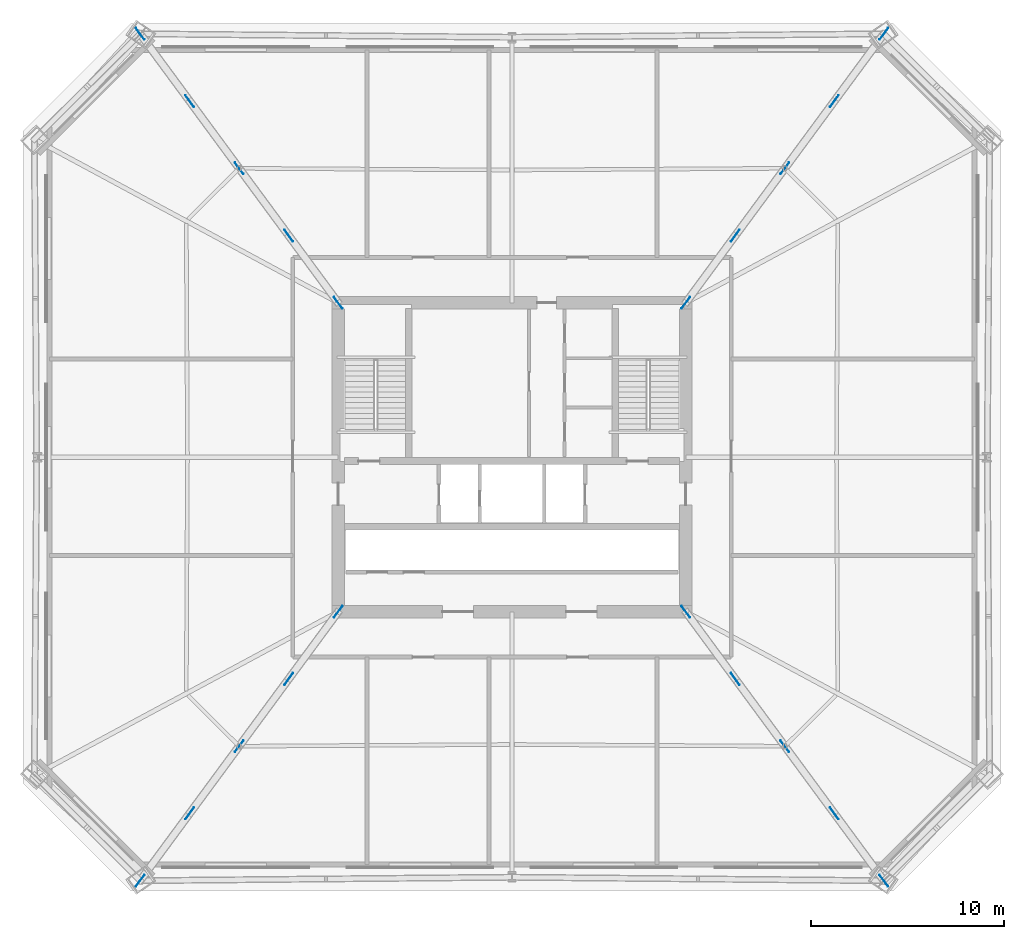
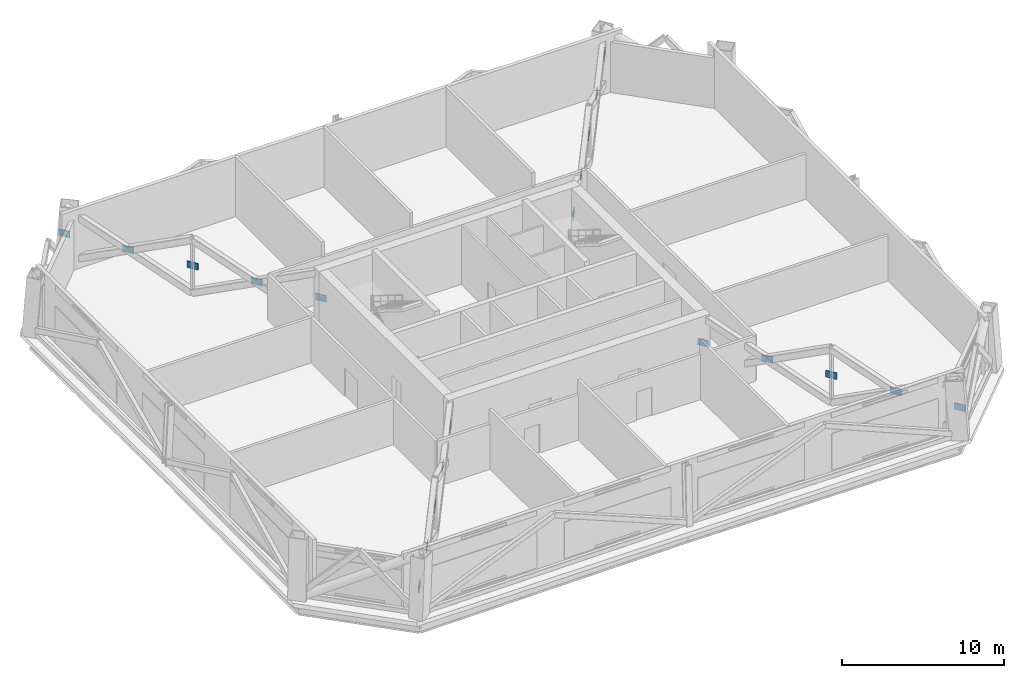
# One storey, part 10 of 14: 20 plates.
"""IFC4 building model written with IfcOpenShell, lengths in metres."""

from ifc_helpers import new_model, si_unit, direction, frame, origin, origin_2d, place, context, subcontext, project, spatial, rectangle, extrude, material, layer, layer_set, type_object, element, save


model = new_model("IFC4")

# Units and contexts
model_context = context("Model", 3, precision=1e-05, world=origin(), true_north=direction((0.0, 1.0)))
body_context = subcontext(model_context, "Body", "Model", "MODEL_VIEW")
ifc_project = project(units=[si_unit("LENGTHUNIT", "METRE"), si_unit("AREAUNIT", "SQUARE_METRE"), si_unit("VOLUMEUNIT", "CUBIC_METRE"), si_unit("PLANEANGLEUNIT", "RADIAN"), si_unit("MASSUNIT", "GRAM", prefix="KILO")], contexts=[model_context])

# Site, building, storey
site_placement = place(None, origin())
site = spatial("IfcSite", under=ifc_project, at=site_placement, CompositionType="ELEMENT")
building_placement = place(site_placement, origin())
building = spatial("IfcBuilding", under=site, at=building_placement, Name="Caelvoria Tower", CompositionType="ELEMENT")
storey_placement = place(building_placement, frame((0.0, 0.0, 85.60009765625)))
storey = spatial("IfcBuildingStorey", under=building, at=storey_placement, Name="L22", CompositionType="ELEMENT", Elevation=85.60009765625)

# Plates
ifc_material = material(Name="Structural Steel ASTM A572 Gr.50", Category="steel")
ifc_layer = layer(ifc_material, 0.035888671875, Name="Structural Steel ASTM A572 Gr.50")
ifc_layer_set = layer_set([ifc_layer], Name="Outrigger Node Gusset Plate 750x500x36 - Structural Steel ASTM A572 Gr.50")
plate_type = type_object("IfcPlateType", Name="Outrigger Node Gusset Plate 750x500x36", PredefinedType="USERDEFINED", material=ifc_layer_set)
for number, where, z_axis, x_axis, name in (
    (1, (26.74169921875, 10.07421875, 1.989990234375), (0.0, 0.0, 1.0), (-0.593092923277, -0.805134016396, 0.0), "Outrigger Gusset Plate END L22-SW"),
    (2, (37.0, 24.0, 1.989990234375), (0.0, 0.0, 1.0), (-0.593092923277, -0.805134016396, 0.0), "Outrigger Gusset Plate CORE L22-SW"),
    (3, (31.870849609375, 17.037109375, 1.989990234375), (0.0, 0.0, 1.0), (-0.593092923277, -0.805134016396, 0.0), "Outrigger Gusset Plate MID L22-SW"),
    (4, (34.435546875, 20.5185546875, 1.989990234375), (0.0, 0.0, 1.0), (-0.593092923277, -0.805134016396, 0.0), "Outrigger Gusset Plate X1 L22-SW"),
    (5, (29.306396484375, 13.5556640625, 1.989990234375), (0.0, 0.0, 1.0), (-0.593092923277, -0.805134016396, 0.0), "Outrigger Gusset Plate X2 L22-SW"),
    (6, (65.25830078125, 10.07421875, 1.989990234375), (0.0, 0.0, 1.0), (0.593092923277, -0.805134016396, 0.0), "Outrigger Gusset Plate END L22-SE"),
    (7, (55.0, 24.0, 1.989990234375), (0.0, 0.0, 1.0), (0.593092923277, -0.805134016396, 0.0), "Outrigger Gusset Plate CORE L22-SE"),
    (8, (60.129150390625, 17.037109375, 1.989990234375), (0.0, 0.0, 1.0), (0.593092923277, -0.805134016396, 0.0), "Outrigger Gusset Plate MID L22-SE"),
    (9, (57.564453125, 20.5185546875, 1.989990234375), (0.0, 0.0, 1.0), (0.593092923277, -0.805134016396, 0.0), "Outrigger Gusset Plate X1 L22-SE"),
    (10, (62.693603515625, 13.5556640625, 1.989990234375), (0.0, 0.0, 1.0), (0.593092923277, -0.805134016396, 0.0), "Outrigger Gusset Plate X2 L22-SE"),
    (11, (65.25830078125, 53.92578125, 1.989990234375), (0.0, 0.0, 1.0), (0.593092923277, 0.805134016396, 0.0), "Outrigger Gusset Plate END L22-NE"),
    (12, (55.0, 40.0, 1.989990234375), (0.0, 0.0, 1.0), (0.593092923277, 0.805134016396, 0.0), "Outrigger Gusset Plate CORE L22-NE"),
    (13, (60.129150390625, 46.962890625, 1.989990234375), (0.0, 0.0, 1.0), (0.593092923277, 0.805134016396, 0.0), "Outrigger Gusset Plate MID L22-NE"),
    (14, (57.564453125, 43.4814453125, 1.989990234375), (0.0, 0.0, 1.0), (0.593092923277, 0.805134016396, 0.0), "Outrigger Gusset Plate X1 L22-NE"),
    (15, (62.693603515625, 50.4443359375, 1.989990234375), (0.0, 0.0, 1.0), (0.593092923277, 0.805134016396, 0.0), "Outrigger Gusset Plate X2 L22-NE"),
    (16, (26.74169921875, 53.92578125, 1.989990234375), (0.0, 0.0, 1.0), (-0.593092923277, 0.805134016396, 0.0), "Outrigger Gusset Plate END L22-NW"),
    (17, (37.0, 40.0, 1.989990234375), (0.0, 0.0, 1.0), (-0.593092923277, 0.805134016396, 0.0), "Outrigger Gusset Plate CORE L22-NW"),
    (18, (31.870849609375, 46.962890625, 1.989990234375), (0.0, 0.0, 1.0), (-0.593092923277, 0.805134016396, 0.0), "Outrigger Gusset Plate MID L22-NW"),
    (19, (34.435546875, 43.4814453125, 1.989990234375), (0.0, 0.0, 1.0), (-0.593092923277, 0.805134016396, 0.0), "Outrigger Gusset Plate X1 L22-NW"),
    (20, (29.306396484375, 50.4443359375, 1.989990234375), (0.0, 0.0, 1.0), (-0.593092923277, 0.805134016396, 0.0), "Outrigger Gusset Plate X2 L22-NW"),
):
    element("IfcPlate", number, at=place(storey_placement, frame(where, z_axis=z_axis, x_axis=x_axis)), inside=storey, type_object=plate_type, Name=name, ObjectType="GUSSET_PLATE", PredefinedType="USERDEFINED", context=body_context, shape_type="SweptSolid", body=[
        extrude(rectangle(XDim=0.75, YDim=0.035888671875, at=origin_2d()), origin(), (0.0, 0.0, 1.0), 0.5),
    ])

save(model, "model.ifc")
